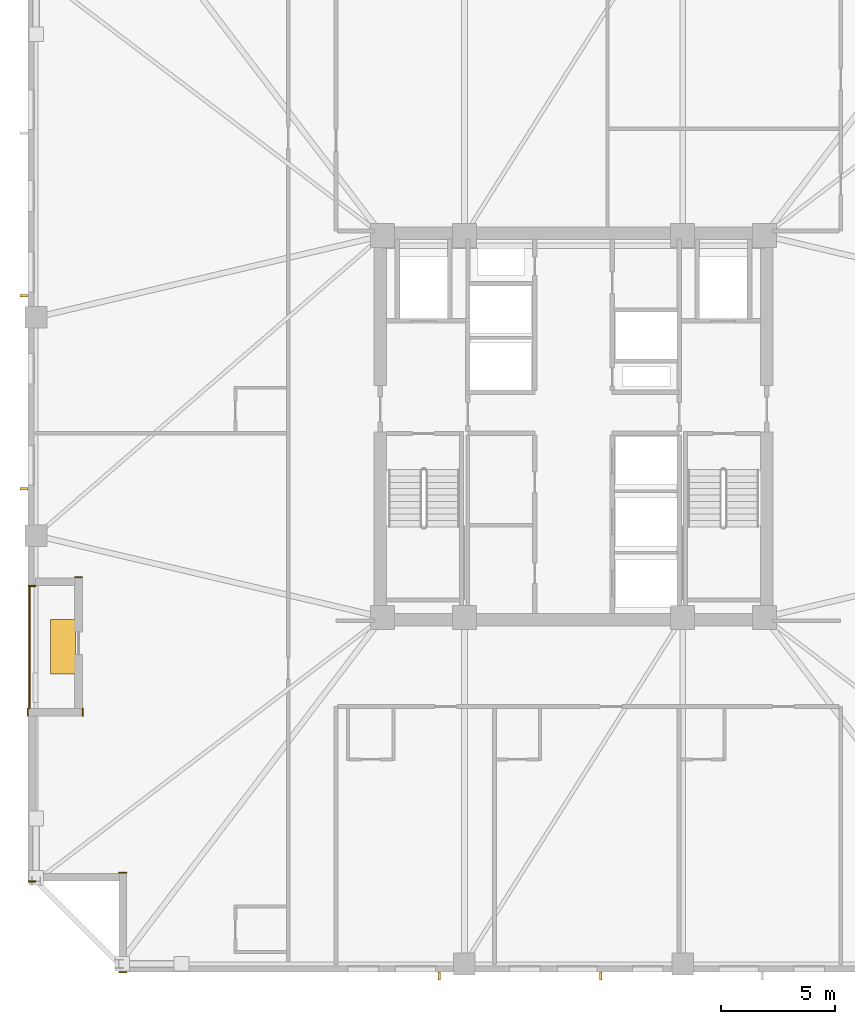
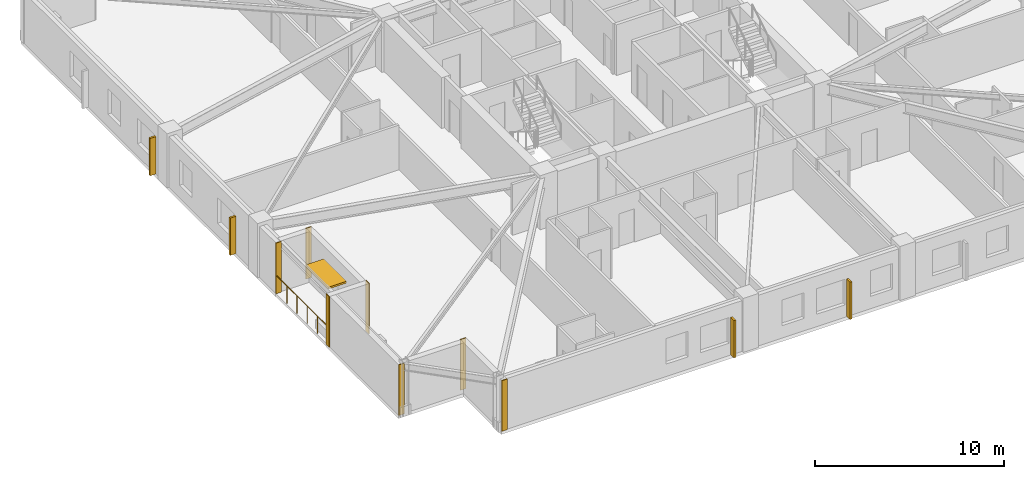
# One storey, part 7 of 11: 7 coverings, 5 shading devices, 1 railing.
"""IFC4 building model written with IfcOpenShell, lengths in metres."""

from ifc_helpers import new_model, si_unit, direction, frame, frame_2d, origin, origin_2d, place, context, subcontext, project, spatial, rectangle, circle, extrude, material, layer, layer_set, type_object, element, save


model = new_model("IFC4")

# Units and contexts
model_context = context("Model", 3, precision=1e-05, world=origin(), true_north=direction((0.0, 1.0)))
body_context = subcontext(model_context, "Body", "Model", "MODEL_VIEW")
ifc_project = project(units=[si_unit("LENGTHUNIT", "METRE"), si_unit("AREAUNIT", "SQUARE_METRE"), si_unit("VOLUMEUNIT", "CUBIC_METRE"), si_unit("PLANEANGLEUNIT", "RADIAN"), si_unit("MASSUNIT", "GRAM", prefix="KILO")], contexts=[model_context])

# Site, building, storey
site_placement = place(None, origin())
site = spatial("IfcSite", under=ifc_project, at=site_placement, CompositionType="ELEMENT")
building_placement = place(site_placement, origin())
building = spatial("IfcBuilding", under=site, at=building_placement, Name="Cairnveth Concourse Tower", CompositionType="ELEMENT")
storey_placement = place(building_placement, frame((0.0, 0.0, 130.5)))
storey = spatial("IfcBuildingStorey", under=building, at=storey_placement, Name="L35", CompositionType="ELEMENT", Elevation=130.5)

# Coverings
ifc_material_1 = material(Name="Dressed Melbourne Bluestone Cladding", Category="masonry")
ifc_layer = layer(ifc_material_1, 0.050048828125)
ifc_layer_set = layer_set([ifc_layer], Name="Dressed Melbourne Bluestone Cladding")
covering_type = type_object("IfcCoveringType", Name="DRESSED BLUESTONE PLINTH CLADDING 50", PredefinedType="CLADDING", material=ifc_layer_set)
for number, where, z_axis, x_axis, name in (
    (1, (28.340087890625, 31.97998046875, 0.0), (0.0, 0.0, 1.0), (-1.0, 0.0, 0.0), "Melbourne Bluestone Corner Quoin L35-499"),
    (2, (32.340087890625, 14.97998046875, 0.0), (0.0, 0.0, 1.0), (-1.0, 0.0, 0.0), "Melbourne Bluestone Corner Quoin L35-509"),
    (3, (32.340087890625, 19.360107421875, 0.0), (0.0, 0.0, 1.0), (-1.0, 0.0, 0.0), "Melbourne Bluestone Corner Quoin L35-510"),
    (4, (28.340087890625, 18.97998046875, 0.0), (0.0, 0.0, 1.0), (-1.0, 0.0, 0.0), "Melbourne Bluestone Corner Quoin L35-511"),
    (5, (27.97998046875, 26.260009765625, 0.0), (0.0, 0.0, 1.0), (0.0, 1.0, 0.0), "Melbourne Bluestone Corner Quoin L35-512"),
    (6, (30.409912109375, 26.260009765625, 0.0), (0.0, 0.0, 1.0), (0.0, 1.0, 0.0), "Melbourne Bluestone Corner Quoin L35-513"),
):
    element("IfcCovering", number, at=place(storey_placement, frame(where, z_axis=z_axis, x_axis=x_axis)), inside=storey, type_object=covering_type, Name=name, PredefinedType="CLADDING", context=body_context, shape_type="SweptSolid", body=[
        extrude(rectangle(XDim=0.340087890625, YDim=0.050048828125, at=frame_2d((0.169921875, 0.0))), origin(), (0.0, 0.0, 1.0), 3.280029296875),
    ])
covering_placement = place(storey_placement, frame((30.389892578125, 32.360107421875, 0.0), z_axis=(0.0, 0.0, 1.0), x_axis=(-1.0, 0.0, 0.0)))
element("IfcCovering", 7, at=covering_placement, inside=storey, type_object=covering_type, Name="Melbourne Bluestone Corner Quoin L35-514", PredefinedType="CLADDING", context=body_context, shape_type="SweptSolid", body=[
    extrude(rectangle(XDim=0.33984375, YDim=0.050048828125, at=frame_2d((0.169921875, 0.0))), origin(), (0.0, 0.0, 1.0), 3.280029296875),
])

# Shading devices
ifc_material_2 = material(Name="Architectural Bronze Anodised Aluminium 6063-T6", Category="aluminium")
shading_device_type_1 = type_object("IfcShadingDeviceType", Name="GOTHIC BRONZE VERTICAL LANCET FIN", PredefinedType="USERDEFINED", material=ifc_material_2)
for number, where, z_axis, x_axis, name in (
    (8, (27.824951171875, 36.26318359375, 0.030029296875), (0.0, 0.0, 1.0), (0.0, 1.0, 0.0), "Gothic Bronze Vertical Fin L35-0-1"),
    (9, (27.824951171875, 44.756103515625, 0.030029296875), (0.0, 0.0, 1.0), (0.0, 1.0, 0.0), "Gothic Bronze Vertical Fin L35-0-3"),
    (10, (53.194091796875, 14.824951171875, 0.030029296875), (0.0, 0.0, 1.0), (1.0, 0.0, 0.0), "Gothic Bronze Vertical Fin L35-9-5"),
    (11, (46.0869140625, 14.824951171875, 0.030029296875), (0.0, 0.0, 1.0), (1.0, 0.0, 0.0), "Gothic Bronze Vertical Fin L35-9-7"),
):
    element("IfcShadingDevice", number, at=place(storey_placement, frame(where, z_axis=z_axis, x_axis=x_axis)), inside=storey, type_object=shading_device_type_1, Name=name, ObjectType="VERTICAL FIN", PredefinedType="USERDEFINED", context=body_context, shape_type="SweptSolid", body=[
        extrude(rectangle(XDim=0.1201171875, YDim=0.360107421875, at=origin_2d()), origin(), (0.0, 0.0, 1.0), 2.419921875),
    ])
shading_device_type_2 = type_object("IfcShadingDeviceType", Name="SPIRAL TERRACE SUNSHADE CANOPY", PredefinedType="USERDEFINED", material=ifc_material_2)
shading_device_placement = place(storey_placement, frame((29.530029296875, 29.300048828125, 2.300048828125), z_axis=(0.0, 0.0, 1.0), x_axis=(1.0, 0.0, 0.0)))
element("IfcShadingDevice", 12, at=shading_device_placement, inside=storey, type_object=shading_device_type_2, Name="Spiral Terrace Sunshade L35", ObjectType="TERRACE SUNSHADE", PredefinedType="USERDEFINED", context=body_context, shape_type="SweptSolid", body=[
    extrude(rectangle(XDim=1.10009765625, YDim=2.39990234375, at=origin_2d()), origin(), (0.0, 0.0, 1.0), 0.1201171875),
])

# Railing
railing_type = type_object("IfcRailingType", Name="TERRACE BRONZE BALUSTRADE 1150", PredefinedType="BALUSTRADE", material=ifc_material_2)
railing_placement = place(storey_placement, frame((28.06005859375, 26.60009765625, 0.0)))
element("IfcRailing", 13, at=railing_placement, inside=storey, type_object=railing_type, Name="Terrace Balustrade RL-L35-TERR", PredefinedType="BALUSTRADE", context=body_context, shape_type="SweptSolid", body=[
    extrude(circle(Radius=0.02490234375, at=origin_2d()), frame((0.0, 0.0, 1.125), z_axis=(0.0, 1.0, 0.0), x_axis=(-1.0, 0.0, 0.0)), (0.0, 0.0, 1.0), 5.39990234375),
    extrude(circle(Radius=0.02099609375, at=origin_2d()), origin(), (0.0, 0.0, 1.0), 1.099853515625),
    extrude(circle(Radius=0.02099609375, at=origin_2d()), frame((0.0, 1.080078125, 0.0)), (0.0, 0.0, 1.0), 1.099853515625),
    extrude(circle(Radius=0.02099609375, at=origin_2d()), frame((0.0, 2.159912109375, 0.0)), (0.0, 0.0, 1.0), 1.099853515625),
    extrude(circle(Radius=0.02099609375, at=origin_2d()), frame((0.0, 3.239990234375, 0.0)), (0.0, 0.0, 1.0), 1.099853515625),
    extrude(circle(Radius=0.02099609375, at=origin_2d()), frame((0.0, 4.31982421875, 0.0)), (0.0, 0.0, 1.0), 1.099853515625),
    extrude(circle(Radius=0.02099609375, at=origin_2d()), frame((0.0, 5.39990234375, 0.0)), (0.0, 0.0, 1.0), 1.099853515625),
])

save(model, "model.ifc")
